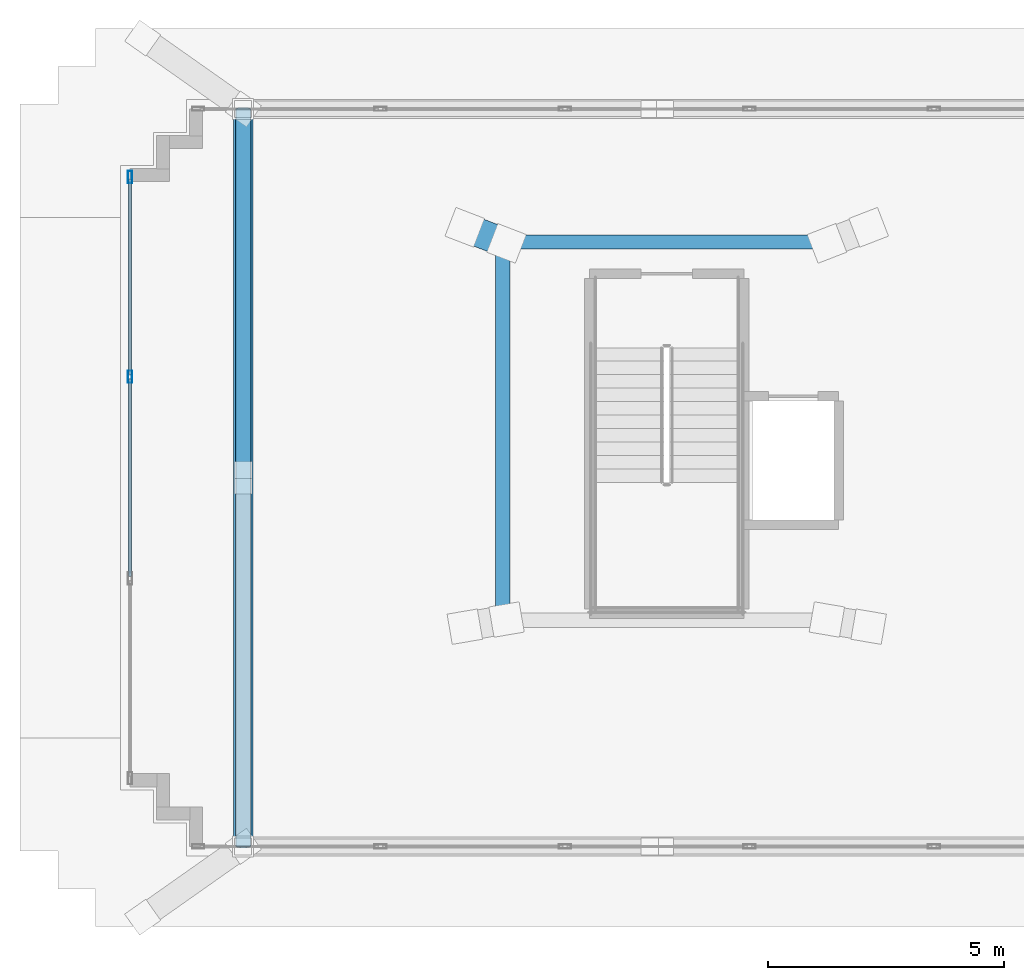
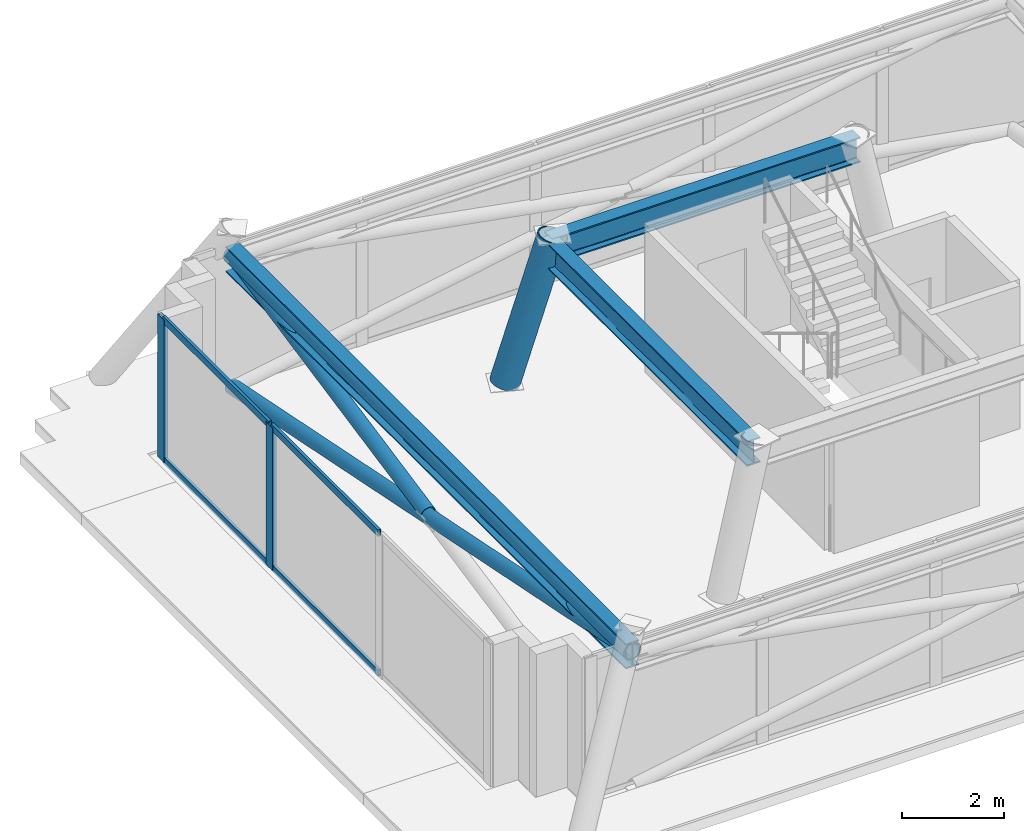
# One storey, part 2 of 8: 10 members, 3 beams, 1 element without a shape of its own.
"""IFC4 building model written with IfcOpenShell, lengths in metres."""

from ifc_helpers import new_model, si_unit, direction, frame, origin, origin_2d, place, context, subcontext, project, spatial, hollow_rectangle, hollow_circle, i_section, extrude, material, layer, layer_set, material_profile, profile_set, type_object, element, aggregate, save


model = new_model("IFC4")

# Units and contexts
model_context = context("Model", 3, precision=1e-05, world=origin(), true_north=direction((0.0, 1.0)))
body_context = subcontext(model_context, "Body", "Model", "MODEL_VIEW")
ifc_project = project(units=[si_unit("LENGTHUNIT", "METRE"), si_unit("AREAUNIT", "SQUARE_METRE"), si_unit("VOLUMEUNIT", "CUBIC_METRE"), si_unit("PLANEANGLEUNIT", "RADIAN"), si_unit("MASSUNIT", "GRAM", prefix="KILO")], contexts=[model_context])

# Site, building, storey
site_placement = place(None, origin())
site = spatial("IfcSite", under=ifc_project, at=site_placement, CompositionType="ELEMENT")
building_placement = place(site_placement, origin())
building = spatial("IfcBuilding", under=site, at=building_placement, Name="Qobustan Lattice House", CompositionType="ELEMENT")
storey_placement = place(building_placement, frame((0.0, 0.0, 289.199951171875)))
storey = spatial("IfcBuildingStorey", under=building, at=storey_placement, Name="L81", CompositionType="ELEMENT", Elevation=289.199951171875)

# Beams
ifc_material_1 = material(Name="Steel S355", Category="steel")
ifc_material_profile_1 = material_profile(ifc_material_1, i_section(OverallWidth=0.300048828125, OverallDepth=0.60009765625, WebThickness=0.015380859375, FlangeThickness=0.030029296875, FilletRadius=0.027099609375, at=origin_2d()), Name="HEB600")
ifc_profile_set_1 = profile_set([ifc_material_profile_1], Name="Steel S355")
beam_type = type_object("IfcBeamType", Name="BM-POD-HEB600", PredefinedType="USERDEFINED", material=ifc_profile_set_1)
beam_1_placement = place(storey_placement, frame((3.470458984375, 3.389892578125, 3.10009765625), z_axis=(-1.0, 0.0, 0.0), x_axis=(0.0, -1.0, 0.0)))
element("IfcBeam", 1, at=beam_1_placement, inside=storey, type_object=beam_type, Name="L81 crown support ring girder 3", ObjectType="GIRDER", PredefinedType="USERDEFINED", context=body_context, shape_type="SweptSolid", body=[
    extrude(i_section(OverallWidth=0.300048828125, OverallDepth=0.60009765625, WebThickness=0.015380859375, FlangeThickness=0.030029296875, FilletRadius=0.027099609375, at=origin_2d()), origin(), (0.0, 0.0, 1.0), 6.94091796875),
])
beam_2_placement = place(storey_placement, frame((-3.470458984375, 3.389892578125, 3.10009765625), z_axis=(0.0, -1.0, 0.0), x_axis=(1.0, 0.0, 0.0)))
element("IfcBeam", 2, at=beam_2_placement, inside=storey, type_object=beam_type, Name="L81 crown support ring girder 4", ObjectType="GIRDER", PredefinedType="USERDEFINED", context=body_context, shape_type="SweptSolid", body=[
    extrude(i_section(OverallWidth=0.300048828125, OverallDepth=0.60009765625, WebThickness=0.015380859375, FlangeThickness=0.030029296875, FilletRadius=0.027099609375, at=origin_2d()), origin(), (0.0, 0.0, 1.0), 8.0078125),
])
beam_3_placement = place(storey_placement, frame((-8.966552734375, 6.20849609375, 3.10009765625), z_axis=(0.0, -1.0, 0.0), x_axis=(1.0, 0.0, 0.0)))
element("IfcBeam", 3, at=beam_3_placement, inside=storey, type_object=beam_type, Name="L81 crown perimeter ring beam 4", ObjectType="GIRDER", PredefinedType="USERDEFINED", context=body_context, shape_type="SweptSolid", body=[
    extrude(i_section(OverallWidth=0.300048828125, OverallDepth=0.60009765625, WebThickness=0.015380859375, FlangeThickness=0.030029296875, FilletRadius=0.027099609375, at=origin_2d()), origin(), (0.0, 0.0, 1.0), 15.616943359375),
])

# Curtain wall, members
ifc_material_2 = material(Name="Anodised aluminium and low-E glazing", Category="aluminium")
ifc_layer = layer(ifc_material_2, 0.219970703125)
ifc_layer_set = layer_set([ifc_layer], Name="Anodised aluminium and low-E glazing")
curtain_wall_type = type_object("IfcCurtainWallType", Name="CW-CRN-01", PredefinedType="USERDEFINED", material=ifc_layer_set)
curtain_wall_placement = place(storey_placement, origin())
curtain_wall = element("IfcCurtainWall", 4, at=curtain_wall_placement, inside=storey, type_object=curtain_wall_type, Name="L81 glass-point crown faceted curtain wall 5", ObjectType="CURTAIN WALL", PredefinedType="USERDEFINED")
ifc_material_3 = material(Name="Anodised aluminium EN AW-6063 T6", Category="aluminium")
ifc_material_profile_2 = material_profile(ifc_material_3, hollow_rectangle(XDim=0.090087890625, YDim=0.260009765625, WallThickness=0.006103515625, at=origin_2d()), Name="CWM-CROWN-260x90")
ifc_profile_set_2 = profile_set([ifc_material_profile_2], Name="Anodised aluminium EN AW-6063 T6")
member_type_1 = type_object("IfcMemberType", Name="CWM-CRN-260", PredefinedType="MULLION", material=ifc_profile_set_2)
member_1_placement = place(storey_placement, frame((-11.366455078125, 0.5361328125, 0.0), z_axis=(0.0, 0.0, 1.0), x_axis=(-1.0, 0.0, 0.0)))
member_1 = element("IfcMember", 5, at=member_1_placement, type_object=member_type_1, Name="CW-CR mullion 3", PredefinedType="MULLION", context=body_context, shape_type="SweptSolid", body=[
    extrude(hollow_rectangle(XDim=0.090087890625, YDim=0.260009765625, WallThickness=0.006103515625, at=origin_2d()), origin(), (0.0, 0.0, 1.0), 3.400146484375),
])
member_2_placement = place(storey_placement, frame((-11.366455078125, 4.763427734375, 0.0), z_axis=(0.0, 0.0, 1.0), x_axis=(-1.0, 0.0, 0.0)))
member_2 = element("IfcMember", 6, at=member_2_placement, type_object=member_type_1, Name="CW-CR mullion 4", PredefinedType="MULLION", context=body_context, shape_type="SweptSolid", body=[
    extrude(hollow_rectangle(XDim=0.090087890625, YDim=0.260009765625, WallThickness=0.006103515625, at=origin_2d()), origin(), (0.0, 0.0, 1.0), 3.400146484375),
])
ifc_material_4 = material(Name="Anodised aluminium EN AW-6063 T6", Category="aluminium")
ifc_material_profile_3 = material_profile(ifc_material_4, hollow_rectangle(XDim=0.06494140625, YDim=0.159912109375, WallThickness=0.00390625, at=origin_2d()), Name="CWT-160x65")
ifc_profile_set_3 = profile_set([ifc_material_profile_3], Name="Anodised aluminium EN AW-6063 T6")
member_type_2 = type_object("IfcMemberType", Name="CWT-HOR-160", PredefinedType="USERDEFINED", material=ifc_profile_set_3)
member_3_placement = place(storey_placement, frame((-11.366455078125, -3.691162109375, 0.032470703125), z_axis=(0.0, 1.0, 0.0), x_axis=(-1.0, 0.0, 0.0)))
member_3 = element("IfcMember", 7, at=member_3_placement, type_object=member_type_2, Name="CW-CR transom 2.1", ObjectType="TRANSOM", PredefinedType="USERDEFINED", context=body_context, shape_type="SweptSolid", body=[
    extrude(hollow_rectangle(XDim=0.06494140625, YDim=0.159912109375, WallThickness=0.00390625, at=origin_2d()), origin(), (0.0, 0.0, 1.0), 4.182373046875),
])
member_4_placement = place(storey_placement, frame((-11.366455078125, -3.691162109375, 3.367431640625), z_axis=(0.0, 1.0, 0.0), x_axis=(-1.0, 0.0, 0.0)))
member_4 = element("IfcMember", 8, at=member_4_placement, type_object=member_type_2, Name="CW-CR transom 2.2", ObjectType="TRANSOM", PredefinedType="USERDEFINED", context=body_context, shape_type="SweptSolid", body=[
    extrude(hollow_rectangle(XDim=0.06494140625, YDim=0.159912109375, WallThickness=0.00390625, at=origin_2d()), origin(), (0.0, 0.0, 1.0), 4.182373046875),
])
member_5_placement = place(storey_placement, frame((-11.366455078125, 0.5810546875, 0.032470703125), z_axis=(0.0, 1.0, 0.0), x_axis=(-1.0, 0.0, 0.0)))
member_5 = element("IfcMember", 9, at=member_5_placement, type_object=member_type_2, Name="CW-CR transom 3.1", ObjectType="TRANSOM", PredefinedType="USERDEFINED", context=body_context, shape_type="SweptSolid", body=[
    extrude(hollow_rectangle(XDim=0.06494140625, YDim=0.159912109375, WallThickness=0.00390625, at=origin_2d()), origin(), (0.0, 0.0, 1.0), 4.137451171875),
])
member_6_placement = place(storey_placement, frame((-11.366455078125, 0.5810546875, 3.367431640625), z_axis=(0.0, 1.0, 0.0), x_axis=(-1.0, 0.0, 0.0)))
member_6 = element("IfcMember", 10, at=member_6_placement, type_object=member_type_2, Name="CW-CR transom 3.2", ObjectType="TRANSOM", PredefinedType="USERDEFINED", context=body_context, shape_type="SweptSolid", body=[
    extrude(hollow_rectangle(XDim=0.06494140625, YDim=0.159912109375, WallThickness=0.00390625, at=origin_2d()), origin(), (0.0, 0.0, 1.0), 4.137451171875),
])
aggregate(curtain_wall, [member_1, member_2, member_3, member_4, member_5, member_6])

# Members
ifc_material_5 = material(Name="Steel S355", Category="steel")
ifc_material_profile_4 = material_profile(ifc_material_5, hollow_circle(Radius=0.161865234375, WallThickness=0.012451171875, at=origin_2d()), Name="CHS323.9x12.5")
ifc_profile_set_4 = profile_set([ifc_material_profile_4], Name="Steel S355")
member_type_3 = type_object("IfcMemberType", Name="MEM-CBR-CHS324", PredefinedType="BRACE", material=ifc_profile_set_4)
member_7_placement = place(storey_placement, frame((-8.966552734375, 6.20849609375, 0.01513671875), z_axis=(0.0, -0.980077771983, 0.198614100368), x_axis=(1.0, 0.0, 0.0)))
element("IfcMember", 11, at=member_7_placement, inside=storey, type_object=member_type_3, Name="L81 crown diagrid continuous brace 4A", PredefinedType="BRACE", context=body_context, shape_type="SweptSolid", body=[
    extrude(hollow_circle(Radius=0.161865234375, WallThickness=0.012451171875, at=origin_2d()), origin(), (0.0, 0.0, 1.0), 15.934326171875),
])
member_8_placement = place(storey_placement, frame((-8.966552734375, -1.435302734375, 1.630859375), z_axis=(0.0, 0.980076624288, 0.198619763682), x_axis=(-1.0, 0.0, 0.0)))
element("IfcMember", 12, at=member_8_placement, inside=storey, type_object=member_type_3, Name="L81 crown diagrid split brace 4B upper", PredefinedType="BRACE", context=body_context, shape_type="SweptSolid", body=[
    extrude(hollow_circle(Radius=0.161865234375, WallThickness=0.012451171875, at=origin_2d()), origin(), (0.0, 0.0, 1.0), 7.799072265625),
])
ifc_material_6 = material(Name="Steel S355", Category="steel")
ifc_material_profile_5 = material_profile(ifc_material_6, hollow_circle(Radius=0.203125, WallThickness=0.01611328125, at=origin_2d()), Name="CHS406.4x16")
ifc_profile_set_5 = profile_set([ifc_material_profile_5], Name="Steel S355")
member_type_4 = type_object("IfcMemberType", Name="MEM-RNG-CHS406", PredefinedType="CHORD", material=ifc_profile_set_5)
member_9_placement = place(storey_placement, frame((-8.966552734375, 6.20849609375, 3.179931640625), z_axis=(0.0, -1.0, 0.0), x_axis=(1.0, 0.0, 0.0)))
element("IfcMember", 13, at=member_9_placement, inside=storey, type_object=member_type_4, Name="L81 crown ring chord 4", PredefinedType="CHORD", context=body_context, shape_type="SweptSolid", body=[
    extrude(hollow_circle(Radius=0.203125, WallThickness=0.01611328125, at=origin_2d()), origin(), (0.0, 0.0, 1.0), 15.616943359375),
])
ifc_material_7 = material(Name="Steel S355", Category="steel")
ifc_material_profile_6 = material_profile(ifc_material_7, hollow_circle(Radius=0.304931640625, WallThickness=0.02490234375, at=origin_2d()), Name="CHS610x25")
ifc_profile_set_6 = profile_set([ifc_material_profile_6], Name="Steel S355")
member_type_5 = type_object("IfcMemberType", Name="MEM-SPR-CHS610", PredefinedType="USERDEFINED", material=ifc_profile_set_6)
member_10_placement = place(storey_placement, frame((-4.274169921875, 3.699951171875, 0.0), z_axis=(0.249814961857, -0.096300865939, 0.963492930982), x_axis=(0.359688901792, 0.933072287622, 0.0)))
element("IfcMember", 14, at=member_10_placement, inside=storey, type_object=member_type_5, Name="L81 crown spire leg SL4", ObjectType="CROWN FRAME", PredefinedType="USERDEFINED", context=body_context, shape_type="SweptSolid", body=[
    extrude(hollow_circle(Radius=0.304931640625, WallThickness=0.02490234375, at=origin_2d()), origin(), (0.0, 0.0, 1.0), 3.529052734375),
])

save(model, "model.ifc")
